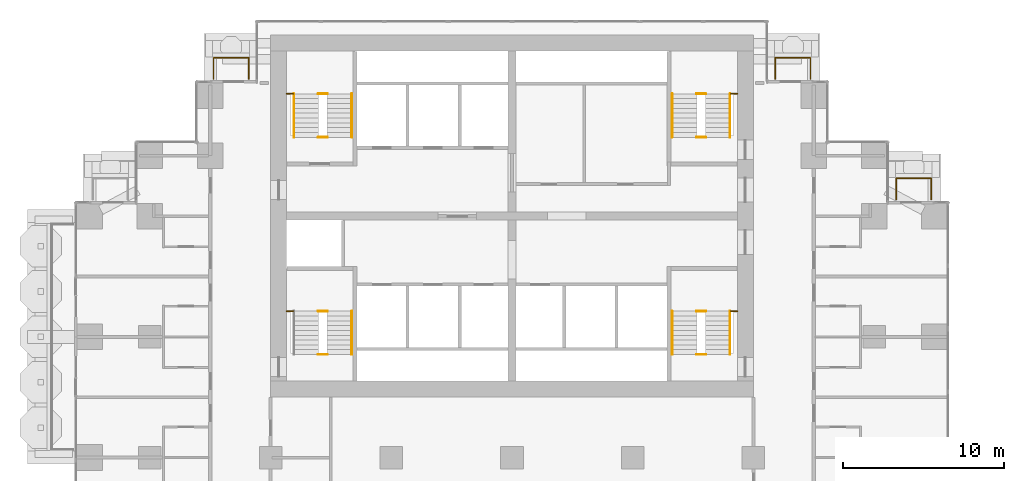
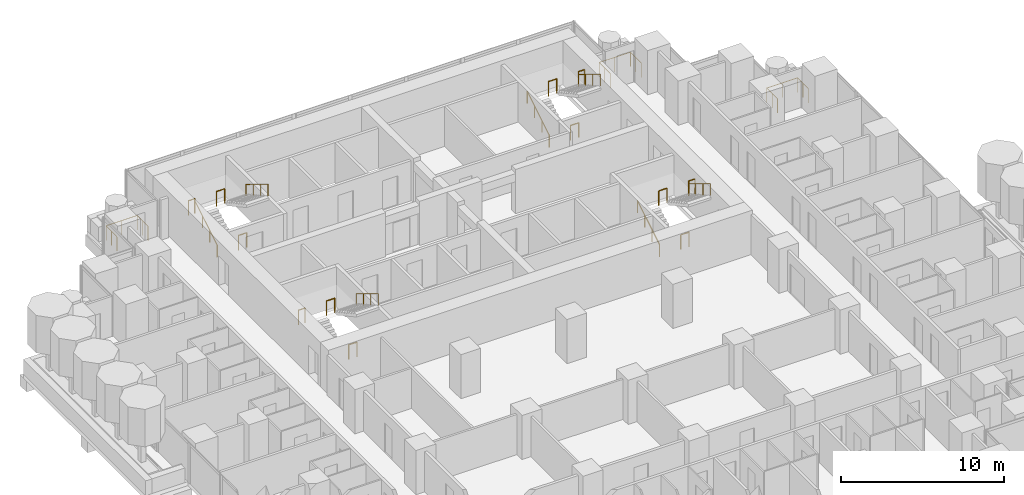
# One storey, part 17 of 18: 22 railings.
"""IFC4 building model written with IfcOpenShell, lengths in metres."""

from ifc_helpers import new_model, si_unit, direction, frame, origin, origin_2d, place, context, subcontext, project, spatial, circle, extrude, material, type_object, element, save


model = new_model("IFC4")

# Units and contexts
model_context = context("Model", 3, precision=1e-05, world=origin(), true_north=direction((0.0, 1.0)))
body_context = subcontext(model_context, "Body", "Model", "MODEL_VIEW")
ifc_project = project(units=[si_unit("LENGTHUNIT", "METRE"), si_unit("AREAUNIT", "SQUARE_METRE"), si_unit("VOLUMEUNIT", "CUBIC_METRE"), si_unit("PLANEANGLEUNIT", "RADIAN"), si_unit("MASSUNIT", "GRAM", prefix="KILO")], contexts=[model_context])

# Site, building, storey
site_placement = place(None, origin())
site = spatial("IfcSite", under=ifc_project, at=site_placement, CompositionType="ELEMENT")
building_placement = place(site_placement, origin())
building = spatial("IfcBuilding", under=site, at=building_placement, Name="Pilkhan Gate Tower", CompositionType="ELEMENT")
storey_placement = place(building_placement, frame((0.0, 0.0, 42.800048828125)))
storey = spatial("IfcBuildingStorey", under=building, at=storey_placement, Name="L07", CompositionType="ELEMENT", Elevation=42.800048828125)

# Railings
ifc_material_1 = material(Name="Pale anodised aluminium posts, laminated glass infill", Category="aluminium")
railing_type_1 = type_object("IfcRailingType", Name="Balcony guard G1", PredefinedType="BALUSTRADE", material=ifc_material_1)
for number, where, name in (
    (1, (56.449951171875, 91.02001953125, 0.0), "Balcony guard L07 N"),
    (2, (91.35009765625, 91.02001953125, 0.0), "Balcony guard L07 N"),
):
    element("IfcRailing", number, at=place(storey_placement, frame(where)), inside=storey, type_object=railing_type_1, Name=name, PredefinedType="BALUSTRADE", context=body_context, shape_type="SweptSolid", body=[
        extrude(circle(Radius=0.02392578125, at=origin_2d()), frame((0.0, 0.0, 1.076171875), z_axis=(0.0, 1.0, 0.0), x_axis=(-1.0, 0.0, 0.0)), (0.0, 0.0, 1.0), 1.330078125),
        extrude(circle(Radius=0.02392578125, at=origin_2d()), frame((0.0, 1.330078125, 1.076171875), z_axis=(1.0, 0.0, 0.0), x_axis=(0.0, 1.0, 0.0)), (0.0, 0.0, 1.0), 2.199951171875),
        extrude(circle(Radius=0.02392578125, at=origin_2d()), frame((2.199951171875, 1.330078125, 1.076171875), z_axis=(0.0, -1.0, 0.0), x_axis=(1.0, 0.0, 0.0)), (0.0, 0.0, 1.0), 1.330078125),
        extrude(circle(Radius=0.02099609375, at=origin_2d()), origin(), (0.0, 0.0, 1.0), 1.052001953125),
        extrude(circle(Radius=0.02099609375, at=origin_2d()), frame((0.0, 0.6650390625, 0.0)), (0.0, 0.0, 1.0), 1.052001953125),
        extrude(circle(Radius=0.02099609375, at=origin_2d()), frame((0.0, 1.330078125, 0.0)), (0.0, 0.0, 1.0), 1.052001953125),
        extrude(circle(Radius=0.02099609375, at=origin_2d()), frame((1.10009765625, 1.330078125, 0.0)), (0.0, 0.0, 1.0), 1.052001953125),
        extrude(circle(Radius=0.02099609375, at=origin_2d()), frame((2.199951171875, 1.330078125, 0.0)), (0.0, 0.0, 1.0), 1.052001953125),
        extrude(circle(Radius=0.02099609375, at=origin_2d()), frame((2.199951171875, 0.6650390625, 0.0)), (0.0, 0.0, 1.0), 1.052001953125),
        extrude(circle(Radius=0.02099609375, at=origin_2d()), frame((2.199951171875, 0.0, 0.0)), (0.0, 0.0, 1.0), 1.052001953125),
    ])
railing_1_placement = place(storey_placement, frame((98.8701171875, 83.5400390625, 0.0)))
element("IfcRailing", 3, at=railing_1_placement, inside=storey, type_object=railing_type_1, Name="Balcony guard L07 N", PredefinedType="BALUSTRADE", context=body_context, shape_type="SweptSolid", body=[
    extrude(circle(Radius=0.02392578125, at=origin_2d()), frame((0.0, 0.0, 1.076171875), z_axis=(0.0, 1.0, 0.0), x_axis=(-1.0, 0.0, 0.0)), (0.0, 0.0, 1.0), 1.31005859375),
    extrude(circle(Radius=0.02392578125, at=origin_2d()), frame((0.0, 1.31005859375, 1.076171875), z_axis=(1.0, 0.0, 0.0), x_axis=(0.0, 1.0, 0.0)), (0.0, 0.0, 1.0), 2.179931640625),
    extrude(circle(Radius=0.02392578125, at=origin_2d()), frame((2.179931640625, 1.31005859375, 1.076171875), z_axis=(0.0, -1.0, 0.0), x_axis=(1.0, 0.0, 0.0)), (0.0, 0.0, 1.0), 1.31005859375),
    extrude(circle(Radius=0.02099609375, at=origin_2d()), origin(), (0.0, 0.0, 1.0), 1.052001953125),
    extrude(circle(Radius=0.02099609375, at=origin_2d()), frame((0.0, 0.655029296875, 0.0)), (0.0, 0.0, 1.0), 1.052001953125),
    extrude(circle(Radius=0.02099609375, at=origin_2d()), frame((0.0, 1.31005859375, 0.0)), (0.0, 0.0, 1.0), 1.052001953125),
    extrude(circle(Radius=0.02099609375, at=origin_2d()), frame((1.08984375, 1.31005859375, 0.0)), (0.0, 0.0, 1.0), 1.052001953125),
    extrude(circle(Radius=0.02099609375, at=origin_2d()), frame((2.179931640625, 1.31005859375, 0.0)), (0.0, 0.0, 1.0), 1.052001953125),
    extrude(circle(Radius=0.02099609375, at=origin_2d()), frame((2.179931640625, 0.655029296875, 0.0)), (0.0, 0.0, 1.0), 1.052001953125),
    extrude(circle(Radius=0.02099609375, at=origin_2d()), frame((2.179931640625, 0.0, 0.0)), (0.0, 0.0, 1.0), 1.052001953125),
])
ifc_material_2 = material(Name="Black powder-coated steel tube", Category="steel")
railing_type_2 = type_object("IfcRailingType", Name="Stair handrail HR1", PredefinedType="HANDRAIL", material=ifc_material_2)
railing_2_placement = place(storey_placement, frame((84.949951171875, 73.89990234375, 0.0)))
element("IfcRailing", 4, at=railing_2_placement, inside=storey, type_object=railing_type_2, Name="Stair ST1 handrail L07", PredefinedType="HANDRAIL", context=body_context, shape_type="SweptSolid", body=[
    extrude(circle(Radius=0.02392578125, at=origin_2d()), frame((0.0, 0.0, 0.8759765625), z_axis=(0.0, 0.853312346642, 0.521400075823), x_axis=(-1.0, 0.0, 0.0)), (0.0, 0.0, 1.0), 3.164306640625),
    extrude(circle(Radius=0.02099609375, at=origin_2d()), origin(), (0.0, 0.0, 1.0), 0.851806640625),
    extrude(circle(Radius=0.02099609375, at=origin_2d()), frame((0.0, 0.900146484375, 0.550048828125)), (0.0, 0.0, 1.0), 0.851806640625),
    extrude(circle(Radius=0.02099609375, at=origin_2d()), frame((0.0, 1.800048828125, 1.099853515625)), (0.0, 0.0, 1.0), 0.851806640625),
    extrude(circle(Radius=0.02099609375, at=origin_2d()), frame((0.0, 2.7001953125, 1.64990234375)), (0.0, 0.0, 1.0), 0.851806640625),
])
for number, where, name in (
    (5, (88.550048828125, 76.60009765625, 1.64990234375), "Stair ST1 handrail L07"),
    (6, (65.050048828125, 76.60009765625, 1.64990234375), "Stair ST2 handrail L07"),
):
    element("IfcRailing", number, at=place(storey_placement, frame(where)), inside=storey, type_object=railing_type_2, Name=name, PredefinedType="HANDRAIL", context=body_context, shape_type="SweptSolid", body=[
        extrude(circle(Radius=0.02392578125, at=origin_2d()), frame((0.0, 0.0, 0.8759765625), z_axis=(0.0, -0.853278019476, 0.521456250781), x_axis=(1.0, 0.0, 0.0)), (0.0, 0.0, 1.0), 3.16455078125),
        extrude(circle(Radius=0.02099609375, at=origin_2d()), origin(), (0.0, 0.0, 1.0), 0.851806640625),
        extrude(circle(Radius=0.02099609375, at=origin_2d()), frame((0.0, -0.900146484375, 0.550048828125)), (0.0, 0.0, 1.0), 0.851806640625),
        extrude(circle(Radius=0.02099609375, at=origin_2d()), frame((0.0, -1.800048828125, 1.10009765625)), (0.0, 0.0, 1.0), 0.851806640625),
        extrude(circle(Radius=0.02099609375, at=origin_2d()), frame((0.0, -2.7001953125, 1.650146484375)), (0.0, 0.0, 1.0), 0.851806640625),
    ])
railing_3_placement = place(storey_placement, frame((61.449951171875, 87.39990234375, 0.0)))
element("IfcRailing", 7, at=railing_3_placement, inside=storey, type_object=railing_type_2, Name="Stair ST3 handrail L07", PredefinedType="HANDRAIL", context=body_context, shape_type="SweptSolid", body=[
    extrude(circle(Radius=0.02392578125, at=origin_2d()), frame((0.0, 0.0, 0.8759765625), z_axis=(0.0, 0.853312346642, 0.521400075823), x_axis=(-1.0, 0.0, 0.0)), (0.0, 0.0, 1.0), 3.164306640625),
    extrude(circle(Radius=0.02099609375, at=origin_2d()), origin(), (0.0, 0.0, 1.0), 0.851806640625),
    extrude(circle(Radius=0.02099609375, at=origin_2d()), frame((0.0, 0.900146484375, 0.550048828125)), (0.0, 0.0, 1.0), 0.851806640625),
    extrude(circle(Radius=0.02099609375, at=origin_2d()), frame((0.0, 1.800048828125, 1.099853515625)), (0.0, 0.0, 1.0), 0.851806640625),
    extrude(circle(Radius=0.02099609375, at=origin_2d()), frame((0.0, 2.7001953125, 1.64990234375)), (0.0, 0.0, 1.0), 0.851806640625),
])
railing_4_placement = place(storey_placement, frame((65.050048828125, 90.10009765625, 1.64990234375)))
element("IfcRailing", 8, at=railing_4_placement, inside=storey, type_object=railing_type_2, Name="Stair ST3 handrail L07", PredefinedType="HANDRAIL", context=body_context, shape_type="SweptSolid", body=[
    extrude(circle(Radius=0.02392578125, at=origin_2d()), frame((0.0, 0.0, 0.8759765625), z_axis=(0.0, -0.853278019476, 0.521456250781), x_axis=(1.0, 0.0, 0.0)), (0.0, 0.0, 1.0), 3.16455078125),
    extrude(circle(Radius=0.02099609375, at=origin_2d()), origin(), (0.0, 0.0, 1.0), 0.851806640625),
    extrude(circle(Radius=0.02099609375, at=origin_2d()), frame((0.0, -0.900146484375, 0.550048828125)), (0.0, 0.0, 1.0), 0.851806640625),
    extrude(circle(Radius=0.02099609375, at=origin_2d()), frame((0.0, -1.800048828125, 1.10009765625)), (0.0, 0.0, 1.0), 0.851806640625),
    extrude(circle(Radius=0.02099609375, at=origin_2d()), frame((0.0, -2.7001953125, 1.650146484375)), (0.0, 0.0, 1.0), 0.851806640625),
])
railing_5_placement = place(storey_placement, frame((84.949951171875, 87.39990234375, 0.0)))
element("IfcRailing", 9, at=railing_5_placement, inside=storey, type_object=railing_type_2, Name="Stair ST4 handrail L07", PredefinedType="HANDRAIL", context=body_context, shape_type="SweptSolid", body=[
    extrude(circle(Radius=0.02392578125, at=origin_2d()), frame((0.0, 0.0, 0.8759765625), z_axis=(0.0, 0.853312346642, 0.521400075823), x_axis=(-1.0, 0.0, 0.0)), (0.0, 0.0, 1.0), 3.164306640625),
    extrude(circle(Radius=0.02099609375, at=origin_2d()), origin(), (0.0, 0.0, 1.0), 0.851806640625),
    extrude(circle(Radius=0.02099609375, at=origin_2d()), frame((0.0, 0.900146484375, 0.550048828125)), (0.0, 0.0, 1.0), 0.851806640625),
    extrude(circle(Radius=0.02099609375, at=origin_2d()), frame((0.0, 1.800048828125, 1.099853515625)), (0.0, 0.0, 1.0), 0.851806640625),
    extrude(circle(Radius=0.02099609375, at=origin_2d()), frame((0.0, 2.7001953125, 1.64990234375)), (0.0, 0.0, 1.0), 0.851806640625),
])
railing_6_placement = place(storey_placement, frame((88.550048828125, 90.10009765625, 1.64990234375)))
element("IfcRailing", 10, at=railing_6_placement, inside=storey, type_object=railing_type_2, Name="Stair ST4 handrail L07", PredefinedType="HANDRAIL", context=body_context, shape_type="SweptSolid", body=[
    extrude(circle(Radius=0.02392578125, at=origin_2d()), frame((0.0, 0.0, 0.8759765625), z_axis=(0.0, -0.853278019476, 0.521456250781), x_axis=(1.0, 0.0, 0.0)), (0.0, 0.0, 1.0), 3.16455078125),
    extrude(circle(Radius=0.02099609375, at=origin_2d()), origin(), (0.0, 0.0, 1.0), 0.851806640625),
    extrude(circle(Radius=0.02099609375, at=origin_2d()), frame((0.0, -0.900146484375, 0.550048828125)), (0.0, 0.0, 1.0), 0.851806640625),
    extrude(circle(Radius=0.02099609375, at=origin_2d()), frame((0.0, -1.800048828125, 1.10009765625)), (0.0, 0.0, 1.0), 0.851806640625),
    extrude(circle(Radius=0.02099609375, at=origin_2d()), frame((0.0, -2.7001953125, 1.650146484375)), (0.0, 0.0, 1.0), 0.851806640625),
])
ifc_material_3 = material(Name="Black powder-coated steel balusters", Category="steel")
railing_type_3 = type_object("IfcRailingType", Name="Stair well guard G3", PredefinedType="GUARDRAIL", material=ifc_material_3)
railing_7_placement = place(storey_placement, frame((88.580078125, 76.60009765625, 1.64990234375)))
element("IfcRailing", 11, at=railing_7_placement, inside=storey, type_object=railing_type_3, Name="Stair ST1 well guard L07", PredefinedType="GUARDRAIL", context=body_context, shape_type="SweptSolid", body=[
    extrude(circle(Radius=0.02392578125, at=origin_2d()), frame((0.0, 0.0, 1.076171875), z_axis=(1.0, 0.0, 0.0), x_axis=(0.0, 1.0, 0.0)), (0.0, 0.0, 1.0), 0.43994140625),
    extrude(circle(Radius=0.02099609375, at=origin_2d()), origin(), (0.0, 0.0, 1.0), 1.052001953125),
    extrude(circle(Radius=0.02099609375, at=origin_2d()), frame((0.43994140625, 0.0, 0.0)), (0.0, 0.0, 1.0), 1.052001953125),
])
for number, where, name in (
    (12, (86.4599609375, 73.89990234375, 0.0), "Stair ST1 well guard L07"),
    (13, (86.4599609375, 76.60009765625, 1.64990234375), "Stair ST1 well guard L07"),
):
    element("IfcRailing", number, at=place(storey_placement, frame(where)), inside=storey, type_object=railing_type_3, Name=name, PredefinedType="GUARDRAIL", context=body_context, shape_type="SweptSolid", body=[
        extrude(circle(Radius=0.02392578125, at=origin_2d()), frame((0.0, 0.0, 1.076171875), z_axis=(1.0, 0.0, 0.0), x_axis=(0.0, 1.0, 0.0)), (0.0, 0.0, 1.0), 0.580078125),
        extrude(circle(Radius=0.02099609375, at=origin_2d()), origin(), (0.0, 0.0, 1.0), 1.052001953125),
        extrude(circle(Radius=0.02099609375, at=origin_2d()), frame((0.580078125, 0.0, 0.0)), (0.0, 0.0, 1.0), 1.052001953125),
    ])
railing_8_placement = place(storey_placement, frame((60.97998046875, 76.60009765625, 1.64990234375)))
element("IfcRailing", 14, at=railing_8_placement, inside=storey, type_object=railing_type_3, Name="Stair ST2 well guard L07", PredefinedType="GUARDRAIL", context=body_context, shape_type="SweptSolid", body=[
    extrude(circle(Radius=0.02392578125, at=origin_2d()), frame((0.0, 0.0, 1.076171875), z_axis=(1.0, 0.0, 0.0), x_axis=(0.0, 1.0, 0.0)), (0.0, 0.0, 1.0), 0.43994140625),
    extrude(circle(Radius=0.02099609375, at=origin_2d()), origin(), (0.0, 0.0, 1.0), 1.052001953125),
    extrude(circle(Radius=0.02099609375, at=origin_2d()), frame((0.43994140625, 0.0, 0.0)), (0.0, 0.0, 1.0), 1.052001953125),
])
for number, where, name in (
    (15, (62.9599609375, 73.89990234375, 0.0), "Stair ST2 well guard L07"),
    (16, (62.9599609375, 76.60009765625, 1.64990234375), "Stair ST2 well guard L07"),
):
    element("IfcRailing", number, at=place(storey_placement, frame(where)), inside=storey, type_object=railing_type_3, Name=name, PredefinedType="GUARDRAIL", context=body_context, shape_type="SweptSolid", body=[
        extrude(circle(Radius=0.02392578125, at=origin_2d()), frame((0.0, 0.0, 1.076171875), z_axis=(1.0, 0.0, 0.0), x_axis=(0.0, 1.0, 0.0)), (0.0, 0.0, 1.0), 0.580078125),
        extrude(circle(Radius=0.02099609375, at=origin_2d()), origin(), (0.0, 0.0, 1.0), 1.052001953125),
        extrude(circle(Radius=0.02099609375, at=origin_2d()), frame((0.580078125, 0.0, 0.0)), (0.0, 0.0, 1.0), 1.052001953125),
    ])
railing_9_placement = place(storey_placement, frame((60.97998046875, 90.10009765625, 1.64990234375)))
element("IfcRailing", 17, at=railing_9_placement, inside=storey, type_object=railing_type_3, Name="Stair ST3 well guard L07", PredefinedType="GUARDRAIL", context=body_context, shape_type="SweptSolid", body=[
    extrude(circle(Radius=0.02392578125, at=origin_2d()), frame((0.0, 0.0, 1.076171875), z_axis=(1.0, 0.0, 0.0), x_axis=(0.0, 1.0, 0.0)), (0.0, 0.0, 1.0), 0.43994140625),
    extrude(circle(Radius=0.02099609375, at=origin_2d()), origin(), (0.0, 0.0, 1.0), 1.052001953125),
    extrude(circle(Radius=0.02099609375, at=origin_2d()), frame((0.43994140625, 0.0, 0.0)), (0.0, 0.0, 1.0), 1.052001953125),
])
for number, where, name in (
    (18, (62.9599609375, 87.39990234375, 0.0), "Stair ST3 well guard L07"),
    (19, (62.9599609375, 90.10009765625, 1.64990234375), "Stair ST3 well guard L07"),
):
    element("IfcRailing", number, at=place(storey_placement, frame(where)), inside=storey, type_object=railing_type_3, Name=name, PredefinedType="GUARDRAIL", context=body_context, shape_type="SweptSolid", body=[
        extrude(circle(Radius=0.02392578125, at=origin_2d()), frame((0.0, 0.0, 1.076171875), z_axis=(1.0, 0.0, 0.0), x_axis=(0.0, 1.0, 0.0)), (0.0, 0.0, 1.0), 0.580078125),
        extrude(circle(Radius=0.02099609375, at=origin_2d()), origin(), (0.0, 0.0, 1.0), 1.052001953125),
        extrude(circle(Radius=0.02099609375, at=origin_2d()), frame((0.580078125, 0.0, 0.0)), (0.0, 0.0, 1.0), 1.052001953125),
    ])
railing_10_placement = place(storey_placement, frame((88.580078125, 90.10009765625, 1.64990234375)))
element("IfcRailing", 20, at=railing_10_placement, inside=storey, type_object=railing_type_3, Name="Stair ST4 well guard L07", PredefinedType="GUARDRAIL", context=body_context, shape_type="SweptSolid", body=[
    extrude(circle(Radius=0.02392578125, at=origin_2d()), frame((0.0, 0.0, 1.076171875), z_axis=(1.0, 0.0, 0.0), x_axis=(0.0, 1.0, 0.0)), (0.0, 0.0, 1.0), 0.43994140625),
    extrude(circle(Radius=0.02099609375, at=origin_2d()), origin(), (0.0, 0.0, 1.0), 1.052001953125),
    extrude(circle(Radius=0.02099609375, at=origin_2d()), frame((0.43994140625, 0.0, 0.0)), (0.0, 0.0, 1.0), 1.052001953125),
])
for number, where, name in (
    (21, (86.4599609375, 87.39990234375, 0.0), "Stair ST4 well guard L07"),
    (22, (86.4599609375, 90.10009765625, 1.64990234375), "Stair ST4 well guard L07"),
):
    element("IfcRailing", number, at=place(storey_placement, frame(where)), inside=storey, type_object=railing_type_3, Name=name, PredefinedType="GUARDRAIL", context=body_context, shape_type="SweptSolid", body=[
        extrude(circle(Radius=0.02392578125, at=origin_2d()), frame((0.0, 0.0, 1.076171875), z_axis=(1.0, 0.0, 0.0), x_axis=(0.0, 1.0, 0.0)), (0.0, 0.0, 1.0), 0.580078125),
        extrude(circle(Radius=0.02099609375, at=origin_2d()), origin(), (0.0, 0.0, 1.0), 1.052001953125),
        extrude(circle(Radius=0.02099609375, at=origin_2d()), frame((0.580078125, 0.0, 0.0)), (0.0, 0.0, 1.0), 1.052001953125),
    ])

save(model, "model.ifc")
